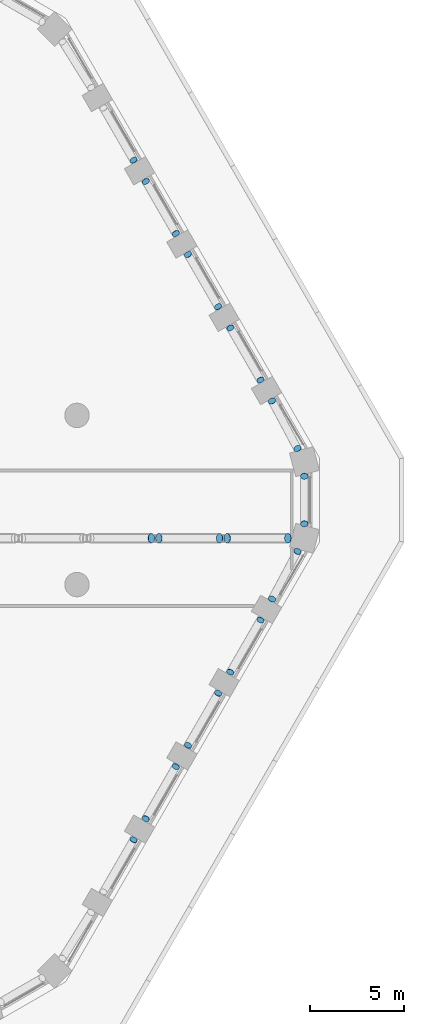
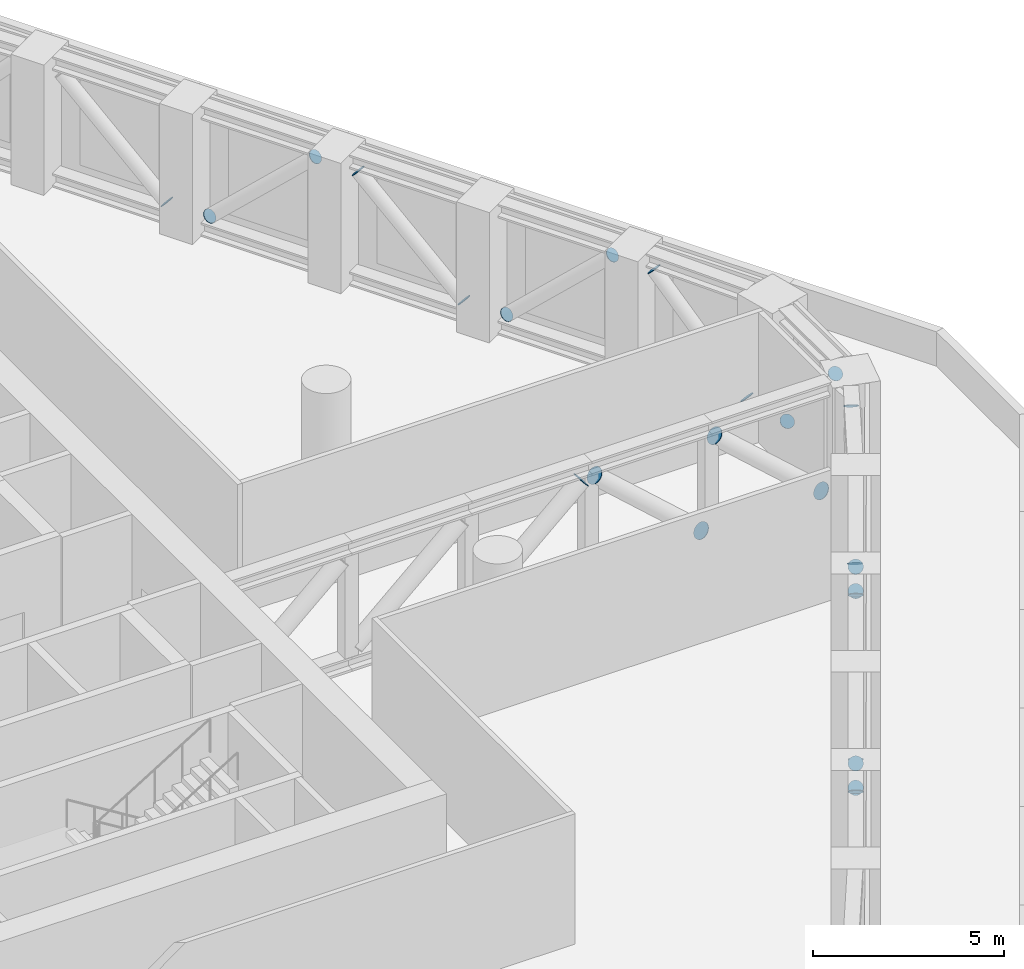
# One storey, part 17 of 18: 25 discrete accessories.
"""IFC4 building model written with IfcOpenShell, lengths in metres."""

from ifc_helpers import new_model, si_unit, direction, frame, origin, origin_2d, place, context, subcontext, project, spatial, circle, extrude, material, material_profile, profile_set, type_object, element, save


model = new_model("IFC4")

# Units and contexts
model_context = context("Model", 3, precision=1e-05, world=origin(), true_north=direction((0.0, 1.0)))
body_context = subcontext(model_context, "Body", "Model", "MODEL_VIEW")
ifc_project = project(units=[si_unit("LENGTHUNIT", "METRE"), si_unit("AREAUNIT", "SQUARE_METRE"), si_unit("VOLUMEUNIT", "CUBIC_METRE"), si_unit("PLANEANGLEUNIT", "RADIAN"), si_unit("MASSUNIT", "GRAM", prefix="KILO")], contexts=[model_context])

# Site, building, storey
site_placement = place(None, origin())
site = spatial("IfcSite", under=ifc_project, at=site_placement, CompositionType="ELEMENT")
building_placement = place(site_placement, origin())
building = spatial("IfcBuilding", under=site, at=building_placement, Name="Dhurran Vertical Campus", CompositionType="ELEMENT")
storey_placement = place(building_placement, frame((0.0, 0.0, 128.10009765625)))
storey = spatial("IfcBuildingStorey", under=building, at=storey_placement, Name="L31 Plant", CompositionType="ELEMENT", Elevation=128.10009765625)

# Discrete accessories
ifc_material_1 = material(Name="Steel S355J2", Category="steel")
ifc_material_profile_1 = material_profile(ifc_material_1, circle(Radius=0.203125, at=origin_2d()), Name="Tube end cap 406 x 20")
ifc_profile_set_1 = profile_set([ifc_material_profile_1], Name="Steel S355J2")
discrete_accessory_type_1 = type_object("IfcDiscreteAccessoryType", Name="Tube end cap 406 x 20", PredefinedType="USERDEFINED", material=ifc_profile_set_1)
for number, where, z_axis, x_axis, name in (
    (1, (25.506103515625, -18.08203125, 3.59228515625), (0.354794813064, 0.636183802736, 0.685121018331), (-0.873363874328, 0.487068314529, 0.0), "EC1 belt L31 d10 capB"),
    (2, (27.756103515625, -14.184814453125, 0.58251953125), (0.354794813064, 0.636183802736, -0.685121018331), (-0.873363874328, 0.487068314529, 0.0), "EC1 belt L31 d11 capA"),
):
    element("IfcDiscreteAccessory", number, at=place(storey_placement, frame(where, z_axis=z_axis, x_axis=x_axis)), inside=storey, type_object=discrete_accessory_type_1, Name=name, ObjectType="END CAP", PredefinedType="USERDEFINED", context=body_context, shape_type="SweptSolid", body=[
        extrude(circle(Radius=0.203125, at=origin_2d()), origin(), (0.0, 0.0, 1.0), 0.02001953125),
    ])
for number, where, z_axis, x_axis, name in (
    (3, (26.162353515625, -16.945068359375, 3.59228515625), (-0.357561757546, -0.628815504649, 0.690464083536), (0.869290118928, -0.494302224488, 0.0), "EC1 belt L31 d11 capB"),
    (4, (28.412353515625, -13.0478515625, 0.58251953125), (-0.357561757546, -0.628815504649, -0.690464083536), (0.869290118928, -0.494302224488, 0.0), "EC1 belt L31 d12 capA"),
    (5, (30.006103515625, -10.28759765625, 3.59228515625), (0.357561757546, 0.628815504649, 0.690464083536), (-0.869290118928, 0.494302224488, 0.0), "EC1 belt L31 d12 capB"),
):
    element("IfcDiscreteAccessory", number, at=place(storey_placement, frame(where, z_axis=z_axis, x_axis=x_axis)), inside=storey, type_object=discrete_accessory_type_1, Name=name, ObjectType="END CAP", PredefinedType="USERDEFINED", context=body_context, shape_type="SweptSolid", body=[
        extrude(circle(Radius=0.203125, at=origin_2d()), origin(), (0.0, 0.0, 1.0), 0.019775390625),
    ])
for number, where, z_axis, x_axis, name in (
    (6, (32.256103515625, -6.390625, 0.58251953125), (0.354794813064, 0.636183802736, -0.685121018331), (-0.873363874328, 0.487068314529, 0.0), "EC1 belt L31 d13 capA"),
    (7, (30.662353515625, -9.150634765625, 3.59228515625), (-0.354794813064, -0.636183802736, 0.685121018331), (0.873363874328, -0.487068314529, 0.0), "EC1 belt L31 d13 capB"),
    (8, (32.88134765625, -5.264404296875, 0.574462890625), (-0.318187166989, -0.599660430095, -0.734278077667), (0.883349020695, -0.468715806899, 0.0), "EC1 belt L31 d14 capA"),
    (9, (34.225341796875, -2.741943359375, 3.600341796875), (0.315854194987, 0.607411913437, 0.728894296125), (-0.887216801235, 0.461352736642, 0.0), "EC1 belt L31 d14 capB"),
    (10, (34.60107421875, 1.257080078125, 0.564208984375), (0.0, 0.63656503651, -0.771223025002), (-1.0, 0.0, 0.0), "EC1 belt L31 d15 capA"),
    (11, (34.60107421875, -1.257080078125, 3.610595703125), (0.0, -0.63656503651, 0.771223025002), (1.0, 0.0, 0.0), "EC1 belt L31 d15 capB"),
    (12, (34.225341796875, 2.741943359375, 0.574462890625), (0.315854194987, -0.607411913437, -0.728894296125), (0.887216801235, 0.461352736642, 0.0), "EC1 belt L31 d16 capA"),
    (13, (32.88134765625, 5.264404296875, 3.600341796875), (-0.318187166989, 0.599660430095, 0.734278077667), (-0.883349020695, -0.468715806899, 0.0), "EC1 belt L31 d16 capB"),
    (14, (30.662353515625, 9.150634765625, 0.58251953125), (-0.354794813064, 0.636183802736, -0.685121018331), (-0.873363874328, -0.487068314529, 0.0), "EC1 belt L31 d17 capA"),
    (15, (32.256103515625, 6.390625, 3.59228515625), (0.354794813064, -0.636183802736, 0.685121018331), (0.873363874328, 0.487068314529, 0.0), "EC1 belt L31 d17 capB"),
):
    element("IfcDiscreteAccessory", number, at=place(storey_placement, frame(where, z_axis=z_axis, x_axis=x_axis)), inside=storey, type_object=discrete_accessory_type_1, Name=name, ObjectType="END CAP", PredefinedType="USERDEFINED", context=body_context, shape_type="SweptSolid", body=[
        extrude(circle(Radius=0.203125, at=origin_2d()), origin(), (0.0, 0.0, 1.0), 0.02001953125),
    ])
for number, where, z_axis, x_axis, name in (
    (16, (30.006103515625, 10.28759765625, 0.58251953125), (0.357561757546, -0.628815504649, -0.690464083536), (0.869290118928, 0.494302224488, 0.0), "EC1 belt L31 d18 capA"),
    (17, (28.412353515625, 13.0478515625, 3.59228515625), (-0.357561757546, 0.628815504649, 0.690464083536), (-0.869290118928, -0.494302224488, 0.0), "EC1 belt L31 d18 capB"),
    (18, (26.162353515625, 16.945068359375, 0.58251953125), (-0.357561757546, 0.628815504649, -0.690464083536), (-0.869290118928, -0.494302224488, 0.0), "EC1 belt L31 d19 capA"),
):
    element("IfcDiscreteAccessory", number, at=place(storey_placement, frame(where, z_axis=z_axis, x_axis=x_axis)), inside=storey, type_object=discrete_accessory_type_1, Name=name, ObjectType="END CAP", PredefinedType="USERDEFINED", context=body_context, shape_type="SweptSolid", body=[
        extrude(circle(Radius=0.203125, at=origin_2d()), origin(), (0.0, 0.0, 1.0), 0.019775390625),
    ])
for number, where, z_axis, x_axis, name in (
    (19, (27.756103515625, 14.184814453125, 3.59228515625), (0.354794813064, -0.636183802736, 0.685121018331), (0.873363874328, 0.487068314529, 0.0), "EC1 belt L31 d19 capB"),
    (20, (25.506103515625, 18.08203125, 0.58251953125), (0.354794813064, -0.636183802736, -0.685121018331), (0.873363874328, 0.487068314529, 0.0), "EC1 belt L31 d20 capA"),
):
    element("IfcDiscreteAccessory", number, at=place(storey_placement, frame(where, z_axis=z_axis, x_axis=x_axis)), inside=storey, type_object=discrete_accessory_type_1, Name=name, ObjectType="END CAP", PredefinedType="USERDEFINED", context=body_context, shape_type="SweptSolid", body=[
        extrude(circle(Radius=0.203125, at=origin_2d()), origin(), (0.0, 0.0, 1.0), 0.02001953125),
    ])
ifc_material_2 = material(Name="Steel S355J2", Category="steel")
ifc_material_profile_2 = material_profile(ifc_material_2, circle(Radius=0.25390625, at=origin_2d()), Name="Tube end cap 508 x 20")
ifc_profile_set_2 = profile_set([ifc_material_profile_2], Name="Steel S355J2")
discrete_accessory_type_2 = type_object("IfcDiscreteAccessoryType", Name="Tube end cap 508 x 20", PredefinedType="USERDEFINED", material=ifc_profile_set_2)
for number, where, z_axis, x_axis, name in (
    (21, (26.4462890625, -2.03662109375, 3.531005859375), (0.748762225055, 0.0, 0.662838691033), (0.0, 1.0, 0.0), "EC1 outrigger L31 OR-E d2 capB"),
    (22, (30.08203125, -2.03662109375, 0.643798828125), (0.748762225055, 0.0, -0.662838691033), (0.0, 1.0, 0.0), "EC1 outrigger L31 OR-E d3 capA"),
    (23, (26.8671875, -2.03662109375, 3.531005859375), (-0.748762225055, 0.0, 0.662838691033), (0.0, -1.0, 0.0), "EC1 outrigger L31 OR-E d3 capB"),
    (24, (33.7177734375, -2.03662109375, 0.643798828125), (0.743294146247, 0.0, -0.668964731622), (0.0, 1.0, 0.0), "EC1 outrigger L31 OR-E d4 capA"),
    (25, (30.5029296875, -2.03662109375, 3.531005859375), (-0.748762225055, 0.0, 0.662838691033), (0.0, -1.0, 0.0), "EC1 outrigger L31 OR-E d4 capB"),
):
    element("IfcDiscreteAccessory", number, at=place(storey_placement, frame(where, z_axis=z_axis, x_axis=x_axis)), inside=storey, type_object=discrete_accessory_type_2, Name=name, ObjectType="END CAP", PredefinedType="USERDEFINED", context=body_context, shape_type="SweptSolid", body=[
        extrude(circle(Radius=0.25390625, at=origin_2d()), origin(), (0.0, 0.0, 1.0), 0.019775390625),
    ])

save(model, "model.ifc")
